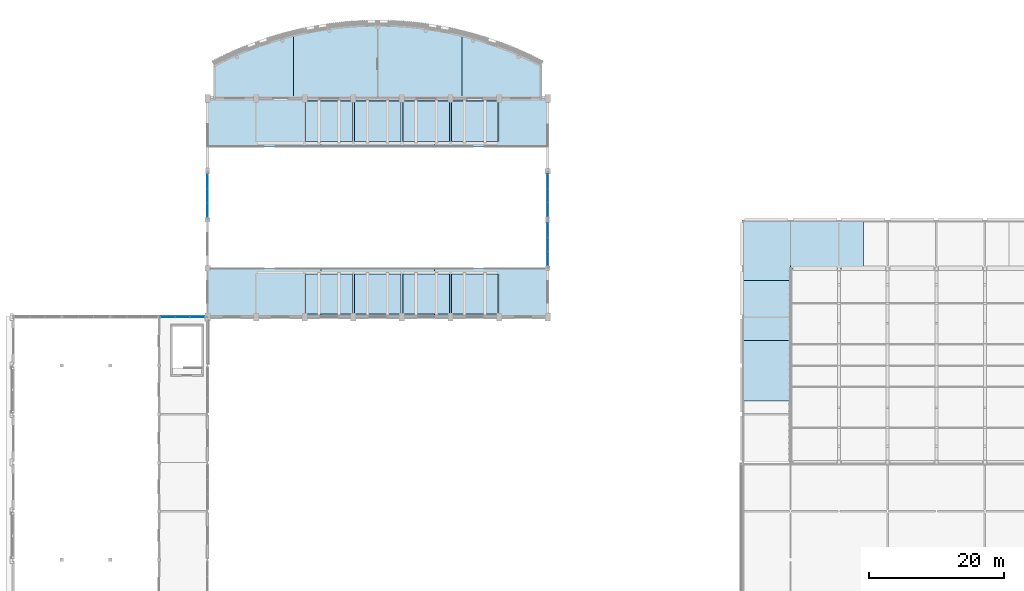
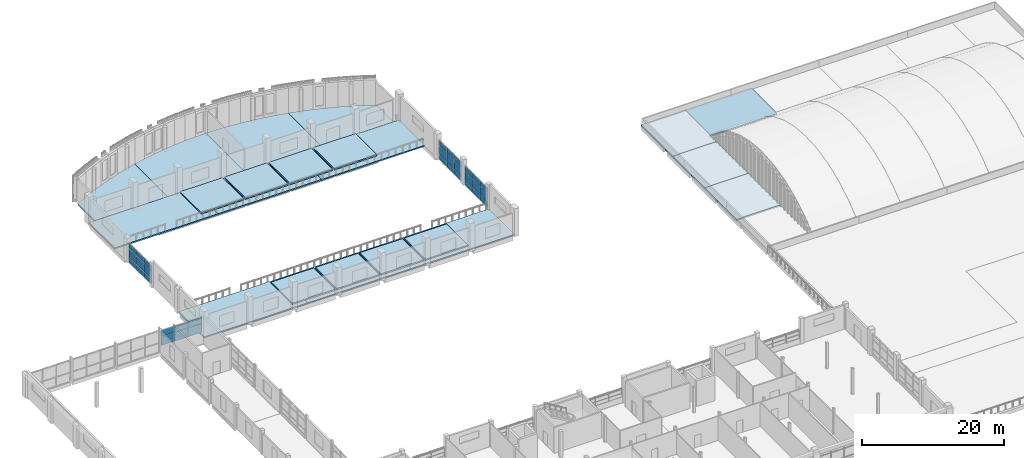
# One storey, part 35 of 71: 33 plates, 22 slabs, 4 elements without a shape of their own.
"""IFC4 building model written with IfcOpenShell, lengths in metres."""

import ifcopenshell
import ifcopenshell.guid

model = None  # the IFC model being written
_history = None  # IfcOwnerHistory: only IFC2X3 demands one
_inside = {}  # id of a spatial element -> (the spatial element, [elements in it])
_under = {}  # id of a project, library or spatial element -> (it, [spatial elements below it])
_declared = {}  # id of a project -> (the project, [libraries it declares])
_typed = {}  # id of a type object -> (the type object, [elements of that type])
_made_of = {}  # id of a material, layer set ... -> (it, [elements and type objects made of it])


def new_model(schema):
    """Start an empty IFC model of exactly this schema.

    Asked for "IFC4X3", IfcOpenShell would pick the latest addendum, in which some entities
    have other attributes; the version numbers below select the first issue.
    IFC2X3 requires an IfcOwnerHistory on every rooted entity: one is made here for all.
    """
    global model, _history
    if schema == "IFC4X3":
        model = ifcopenshell.file(schema_version=(4, 3, 0, 0))
    else:
        model = ifcopenshell.file(schema=schema)
    _inside.clear()
    _under.clear()
    _declared.clear()
    _typed.clear()
    _made_of.clear()
    _history = None
    if model.schema == "IFC2X3":
        org = make("IfcOrganization", Name="unknown")
        user = make(
            "IfcPersonAndOrganization",
            ThePerson=make("IfcPerson", FamilyName="unknown"),
            TheOrganization=org,
        )
        app = make(
            "IfcApplication",
            ApplicationDeveloper=org,
            Version="unknown",
            ApplicationFullName="unknown",
            ApplicationIdentifier="unknown",
        )
        _history = make(
            "IfcOwnerHistory",
            OwningUser=user,
            OwningApplication=app,
            ChangeAction="ADDED",
            CreationDate=0,
        )
    return model


def make(cls, **values):
    """One entity of the class cls with the attributes given. An attribute that is None is left unset."""
    return model.create_entity(
        cls, **{name: value for name, value in values.items() if value is not None}
    )


def rooted(cls, **values):
    """An entity with a GlobalId (a new one), such as an element, a storey or a relation."""
    return make(cls, GlobalId=ifcopenshell.guid.new(), OwnerHistory=_history, **values)


def si_unit(unit_type, name, prefix=None):
    """IfcSIUnit, for example si_unit("LENGTHUNIT", "METRE", prefix="MILLI")."""
    return make("IfcSIUnit", UnitType=unit_type, Prefix=prefix, Name=name)


def assignment(units):
    """IfcUnitAssignment: the units of a project."""
    return None if units is None else make("IfcUnitAssignment", Units=units)


def point(xyz):
    """IfcCartesianPoint."""
    return None if xyz is None else make("IfcCartesianPoint", Coordinates=xyz)


def direction(xyz):
    """IfcDirection."""
    return None if xyz is None else make("IfcDirection", DirectionRatios=xyz)


def frame(location, z_axis=None, x_axis=None):
    """IfcAxis2Placement3D, a coordinate frame: its origin and axes. An axis left out is left unset."""
    return make(
        "IfcAxis2Placement3D",
        Location=point(location),
        Axis=direction(z_axis),
        RefDirection=direction(x_axis),
    )


def frame_2d(location, x_axis=None):
    """IfcAxis2Placement2D, a coordinate frame in the plane: its origin and x axis."""
    return make(
        "IfcAxis2Placement2D", Location=point(location), RefDirection=direction(x_axis)
    )


def origin():
    """The frame at (0, 0, 0) with its axes left unset."""
    return frame((0.0, 0.0, 0.0))


def origin_2d():
    """The frame at (0, 0) in the plane with its x axis left unset."""
    return frame_2d((0.0, 0.0))


def place(relative_to, where):
    """IfcLocalPlacement: puts the frame where relative to a parent placement (None: the world)."""
    return make(
        "IfcLocalPlacement", PlacementRelTo=relative_to, RelativePlacement=where
    )


def context(
    kind, dimensions, precision=None, world=None, true_north=None, identifier=None
):
    """IfcGeometricRepresentationContext, for example the 3D "Model" context."""
    return make(
        "IfcGeometricRepresentationContext",
        ContextIdentifier=identifier,
        ContextType=kind,
        CoordinateSpaceDimension=dimensions,
        Precision=precision,
        WorldCoordinateSystem=world,
        TrueNorth=true_north,
    )


def subcontext(parent, identifier, kind, view, scale=None):
    """IfcGeometricRepresentationSubContext, for example "Body" below "Model"."""
    return make(
        "IfcGeometricRepresentationSubContext",
        ContextIdentifier=identifier,
        ContextType=kind,
        ParentContext=parent,
        TargetScale=scale,
        TargetView=view,
    )


def project(units=None, contexts=None):
    """IfcProject with its units and contexts."""
    return rooted(
        "IfcProject",
        Name="project",
        RepresentationContexts=contexts,
        UnitsInContext=assignment(units),
    )


def spatial(cls, under=None, at=None, **own):
    """A site, building, storey or space (cls), placed at a placement, below another one or the project."""
    s = rooted(cls, ObjectPlacement=at, **own)
    if under is not None:
        _under.setdefault(under.id(), (under, []))[1].append(s)
    return s


def polyline(points):
    """IfcPolyline through the points."""
    return make("IfcPolyline", Points=[point(p) for p in points])


def profile(cls, at=None, kind="AREA", **sizes):
    """A parametric profile (cls). Its sizes go by their IFC names, for example OverallWidth=200.0."""
    return make(cls, ProfileType=kind, Position=at, **sizes)


def rectangle(**sizes):
    """IfcRectangleProfileDef."""
    return profile("IfcRectangleProfileDef", **sizes)


def outline(outer, holes=None, kind="AREA"):
    """IfcArbitraryClosedProfileDef: a profile drawn as a closed curve; with holes, ...WithVoids."""
    if holes is None:
        return make("IfcArbitraryClosedProfileDef", ProfileType=kind, OuterCurve=outer)
    return make(
        "IfcArbitraryProfileDefWithVoids",
        ProfileType=kind,
        OuterCurve=outer,
        InnerCurves=holes,
    )


def extrude(swept, where, along, depth):
    """IfcExtrudedAreaSolid: the profile swept, set in the frame where, extruded along a direction by depth."""
    return make(
        "IfcExtrudedAreaSolid",
        SweptArea=swept,
        Position=where,
        ExtrudedDirection=direction(along),
        Depth=depth,
    )


def shape(context_of_items, identifier, shape_type, items):
    """IfcShapeRepresentation: the items that make up one representation, for example the "Body"."""
    return make(
        "IfcShapeRepresentation",
        ContextOfItems=context_of_items,
        RepresentationIdentifier=identifier,
        RepresentationType=shape_type,
        Items=items,
    )


def material(Name=None, Category=None):
    """IfcMaterial."""
    return make("IfcMaterial", Name=Name, Category=Category)


def layer(
    of_material, thickness, ventilated=None, Name=None, Category=None, Priority=None
):
    """IfcMaterialLayer: one layer of a wall or slab, of a material (None: an air gap)."""
    return make(
        "IfcMaterialLayer",
        Material=of_material,
        LayerThickness=thickness,
        IsVentilated=ventilated,
        Name=Name,
        Category=Category,
        Priority=Priority,
    )


def layer_set(layers, Name=None):
    """IfcMaterialLayerSet."""
    return make("IfcMaterialLayerSet", MaterialLayers=layers, LayerSetName=Name)


def made_of(thing, what):
    """Note that an element or type object is made of a material, layer set ...; save() writes the relation."""
    if what is not None:
        _made_of.setdefault(what.id(), (what, []))[1].append(thing)
    return thing


def type_object(cls, material=None, **own):
    """A type object (cls), such as IfcWallType, which elements share."""
    return made_of(rooted(cls, **own), material)


def element(
    cls,
    number,
    at=None,
    inside=None,
    cuts=None,
    type_object=None,
    material=None,
    context=None,
    identifier="Body",
    shape_type=None,
    held_by="IfcProductDefinitionShape",
    body=None,
    shapes=None,
    **own,
):
    """One element of the class cls, such as IfcWall. Its Tag is "e" and its number.

    at: its placement. inside: the storey or other place that contains it. cuts: it is an
    opening in that element (IfcRelVoidsElement). A single representation is given by context,
    identifier, shape_type and body (its items); several are given by shapes. held_by: the class
    of the entity that holds the representations. save() writes the other relations.
    """
    e = rooted(cls, Tag="e%d" % number, ObjectPlacement=at, **own)
    if body is not None:
        shapes = [shape(context, identifier, shape_type, body)]
    if shapes is not None:
        e.Representation = make(held_by, Representations=shapes)
    if inside is not None:
        _inside.setdefault(inside.id(), (inside, []))[1].append(e)
    if cuts is not None:
        rooted(
            "IfcRelVoidsElement", RelatingBuildingElement=cuts, RelatedOpeningElement=e
        )
    if type_object is not None:
        _typed.setdefault(type_object.id(), (type_object, []))[1].append(e)
    return made_of(e, material)


def aggregate(whole, parts):
    """IfcRelAggregates: a whole, such as a stair, and the parts it consists of."""
    return rooted("IfcRelAggregates", RelatingObject=whole, RelatedObjects=parts)


def save(model, path):
    """Write the relations noted so far, then the file.

    IfcRelAggregates (storeys below a building ...), IfcRelContainedInSpatialStructure (elements
    in a storey), IfcRelDefinesByType, IfcRelAssociatesMaterial and IfcRelDeclares: one each for
    every whole, place, type object, material and project.
    """
    for whole, parts in _under.values():
        aggregate(whole, parts)
    for where, things in _inside.values():
        rooted(
            "IfcRelContainedInSpatialStructure",
            RelatedElements=things,
            RelatingStructure=where,
        )
    for kind, things in _typed.values():
        rooted("IfcRelDefinesByType", RelatedObjects=things, RelatingType=kind)
    for what, things in _made_of.values():
        rooted("IfcRelAssociatesMaterial", RelatedObjects=things, RelatingMaterial=what)
    for by, libraries in _declared.values():
        rooted("IfcRelDeclares", RelatingContext=by, RelatedDefinitions=libraries)
    model.write(path)


model = new_model("IFC4")

# Units and contexts
model_context = context("Model", 3, precision=1e-05, world=origin(), true_north=direction((0.0, 1.0)))
body_context = subcontext(model_context, "Body", "Model", "MODEL_VIEW")
ifc_project = project(units=[si_unit("LENGTHUNIT", "METRE"), si_unit("AREAUNIT", "SQUARE_METRE"), si_unit("VOLUMEUNIT", "CUBIC_METRE"), si_unit("PLANEANGLEUNIT", "RADIAN"), si_unit("MASSUNIT", "GRAM", prefix="KILO")], contexts=[model_context])

# Site, building, storey
site_placement = place(None, origin())
site = spatial("IfcSite", under=ifc_project, at=site_placement, CompositionType="ELEMENT")
building_placement = place(site_placement, origin())
building = spatial("IfcBuilding", under=site, at=building_placement, Name="Sardonyx Promenade Sports Hall", CompositionType="ELEMENT")
storey_placement = place(building_placement, frame((0.0, 0.0, 16.0)))
storey = spatial("IfcBuildingStorey", under=building, at=storey_placement, Name="L03", CompositionType="ELEMENT", Elevation=16.0)

# Curtain wall, plates
ifc_material_1 = material(Name="Aluminium 6063-T6", Category="aluminium")
curtain_wall_type_1 = type_object("IfcCurtainWallType", Name="CW_South_L03_640", PredefinedType="USERDEFINED", material=ifc_material_1)
curtain_wall_1_placement = place(storey_placement, origin())
curtain_wall_1 = element("IfcCurtainWall", 1, at=curtain_wall_1_placement, inside=storey, type_object=curtain_wall_type_1, Name="Curtain wall CW14 cw:L03:147", ObjectType="CURTAIN WALL", PredefinedType="USERDEFINED")
ifc_material_2 = material(Name="Double-glazed solar low-E IGU 28 mm", Category="glass")
ifc_layer_1 = layer(ifc_material_2, 0.028076171875)
ifc_layer_set_1 = layer_set([ifc_layer_1], Name="CW_Pan_Glz_28")
plate_type_1 = type_object("IfcPlateType", Name="CW_Pan_Glz_28", PredefinedType="CURTAIN_PANEL", material=ifc_layer_set_1)
plate_1_placement = place(storey_placement, frame((28.800048828125, 87.85009765625, 0.06005859375), z_axis=(0.0, 0.0, 1.0), x_axis=(0.0, 1.0, 0.0)))
plate_1 = element("IfcPlate", 2, at=plate_1_placement, type_object=plate_type_1, Name="Curtain panel CP01 cw:L03:147 #1", PredefinedType="CURTAIN_PANEL", context=body_context, shape_type="SweptSolid", body=[
    extrude(rectangle(XDim=2.0400390625, YDim=0.028076171875, at=origin_2d()), origin(), (0.0, 0.0, 1.0), 0.81005859375),
])
plate_2_placement = place(storey_placement, frame((28.800048828125, 87.85009765625, 0.93017578125), z_axis=(0.0, 0.0, 1.0), x_axis=(0.0, 1.0, 0.0)))
plate_2 = element("IfcPlate", 3, at=plate_2_placement, type_object=plate_type_1, Name="Curtain panel CP01 cw:L03:147 #2", PredefinedType="CURTAIN_PANEL", context=body_context, shape_type="SweptSolid", body=[
    extrude(rectangle(XDim=2.0400390625, YDim=0.028076171875, at=origin_2d()), origin(), (0.0, 0.0, 1.0), 1.489990234375),
])
plate_3_placement = place(storey_placement, frame((28.800048828125, 87.85009765625, 2.47998046875), z_axis=(0.0, 0.0, 1.0), x_axis=(0.0, 1.0, 0.0)))
plate_3 = element("IfcPlate", 4, at=plate_3_placement, type_object=plate_type_1, Name="Curtain panel CP01 cw:L03:147 #3", PredefinedType="CURTAIN_PANEL", context=body_context, shape_type="SweptSolid", body=[
    extrude(rectangle(XDim=2.0400390625, YDim=0.028076171875, at=origin_2d()), origin(), (0.0, 0.0, 1.0), 0.860107421875),
])
plate_4_placement = place(storey_placement, frame((28.800048828125, 89.949951171875, 0.06005859375), z_axis=(0.0, 0.0, 1.0), x_axis=(0.0, 1.0, 0.0)))
plate_4 = element("IfcPlate", 5, at=plate_4_placement, type_object=plate_type_1, Name="Curtain panel CP01 cw:L03:147 #4", PredefinedType="CURTAIN_PANEL", context=body_context, shape_type="SweptSolid", body=[
    extrude(rectangle(XDim=2.0400390625, YDim=0.028076171875, at=origin_2d()), origin(), (0.0, 0.0, 1.0), 0.81005859375),
])
plate_5_placement = place(storey_placement, frame((28.800048828125, 89.949951171875, 0.93017578125), z_axis=(0.0, 0.0, 1.0), x_axis=(0.0, 1.0, 0.0)))
plate_5 = element("IfcPlate", 6, at=plate_5_placement, type_object=plate_type_1, Name="Curtain panel CP01 cw:L03:147 #5", PredefinedType="CURTAIN_PANEL", context=body_context, shape_type="SweptSolid", body=[
    extrude(rectangle(XDim=2.0400390625, YDim=0.028076171875, at=origin_2d()), origin(), (0.0, 0.0, 1.0), 1.489990234375),
])
plate_6_placement = place(storey_placement, frame((28.800048828125, 89.949951171875, 2.47998046875), z_axis=(0.0, 0.0, 1.0), x_axis=(0.0, 1.0, 0.0)))
plate_6 = element("IfcPlate", 7, at=plate_6_placement, type_object=plate_type_1, Name="Curtain panel CP01 cw:L03:147 #6", PredefinedType="CURTAIN_PANEL", context=body_context, shape_type="SweptSolid", body=[
    extrude(rectangle(XDim=2.0400390625, YDim=0.028076171875, at=origin_2d()), origin(), (0.0, 0.0, 1.0), 0.860107421875),
])
plate_7_placement = place(storey_placement, frame((28.800048828125, 92.050048828125, 0.06005859375), z_axis=(0.0, 0.0, 1.0), x_axis=(0.0, 1.0, 0.0)))
plate_7 = element("IfcPlate", 8, at=plate_7_placement, type_object=plate_type_1, Name="Curtain panel CP01 cw:L03:147 #7", PredefinedType="CURTAIN_PANEL", context=body_context, shape_type="SweptSolid", body=[
    extrude(rectangle(XDim=2.0400390625, YDim=0.028076171875, at=origin_2d()), origin(), (0.0, 0.0, 1.0), 0.81005859375),
])
plate_8_placement = place(storey_placement, frame((28.800048828125, 92.050048828125, 0.93017578125), z_axis=(0.0, 0.0, 1.0), x_axis=(0.0, 1.0, 0.0)))
plate_8 = element("IfcPlate", 9, at=plate_8_placement, type_object=plate_type_1, Name="Curtain panel CP01 cw:L03:147 #8", PredefinedType="CURTAIN_PANEL", context=body_context, shape_type="SweptSolid", body=[
    extrude(rectangle(XDim=2.0400390625, YDim=0.028076171875, at=origin_2d()), origin(), (0.0, 0.0, 1.0), 1.489990234375),
])
plate_9_placement = place(storey_placement, frame((28.800048828125, 92.050048828125, 2.47998046875), z_axis=(0.0, 0.0, 1.0), x_axis=(0.0, 1.0, 0.0)))
plate_9 = element("IfcPlate", 10, at=plate_9_placement, type_object=plate_type_1, Name="Curtain panel CP01 cw:L03:147 #9", PredefinedType="CURTAIN_PANEL", context=body_context, shape_type="SweptSolid", body=[
    extrude(rectangle(XDim=2.0400390625, YDim=0.028076171875, at=origin_2d()), origin(), (0.0, 0.0, 1.0), 0.860107421875),
])
aggregate(curtain_wall_1, [plate_1, plate_2, plate_3, plate_4, plate_5, plate_6, plate_7, plate_8, plate_9])

curtain_wall_2_placement = place(storey_placement, origin())
curtain_wall_2 = element("IfcCurtainWall", 11, at=curtain_wall_2_placement, inside=storey, type_object=curtain_wall_type_1, Name="Curtain wall CW14 cw:L03:150", ObjectType="CURTAIN WALL", PredefinedType="USERDEFINED")
plate_10_placement = place(storey_placement, frame((79.199951171875, 92.1083984375, 0.06005859375), z_axis=(0.0, 0.0, 1.0), x_axis=(0.0, -1.0, 0.0)))
plate_10 = element("IfcPlate", 12, at=plate_10_placement, type_object=plate_type_1, Name="Curtain panel CP01 cw:L03:150 #1", PredefinedType="CURTAIN_PANEL", context=body_context, shape_type="SweptSolid", body=[
    extrude(rectangle(XDim=2.0234375, YDim=0.028076171875, at=origin_2d()), origin(), (0.0, 0.0, 1.0), 0.81005859375),
])
plate_11_placement = place(storey_placement, frame((79.199951171875, 92.1083984375, 0.93017578125), z_axis=(0.0, 0.0, 1.0), x_axis=(0.0, -1.0, 0.0)))
plate_11 = element("IfcPlate", 13, at=plate_11_placement, type_object=plate_type_1, Name="Curtain panel CP01 cw:L03:150 #2", PredefinedType="CURTAIN_PANEL", context=body_context, shape_type="SweptSolid", body=[
    extrude(rectangle(XDim=2.0234375, YDim=0.028076171875, at=origin_2d()), origin(), (0.0, 0.0, 1.0), 1.489990234375),
])
plate_12_placement = place(storey_placement, frame((79.199951171875, 92.1083984375, 2.47998046875), z_axis=(0.0, 0.0, 1.0), x_axis=(0.0, -1.0, 0.0)))
plate_12 = element("IfcPlate", 14, at=plate_12_placement, type_object=plate_type_1, Name="Curtain panel CP01 cw:L03:150 #3", PredefinedType="CURTAIN_PANEL", context=body_context, shape_type="SweptSolid", body=[
    extrude(rectangle(XDim=2.0234375, YDim=0.028076171875, at=origin_2d()), origin(), (0.0, 0.0, 1.0), 0.860107421875),
])
plate_13_placement = place(storey_placement, frame((79.199951171875, 90.02490234375, 0.06005859375), z_axis=(0.0, 0.0, 1.0), x_axis=(0.0, -1.0, 0.0)))
plate_13 = element("IfcPlate", 15, at=plate_13_placement, type_object=plate_type_1, Name="Curtain panel CP01 cw:L03:150 #4", PredefinedType="CURTAIN_PANEL", context=body_context, shape_type="SweptSolid", body=[
    extrude(rectangle(XDim=2.0234375, YDim=0.028076171875, at=origin_2d()), origin(), (0.0, 0.0, 1.0), 0.81005859375),
])
plate_14_placement = place(storey_placement, frame((79.199951171875, 90.02490234375, 0.93017578125), z_axis=(0.0, 0.0, 1.0), x_axis=(0.0, -1.0, 0.0)))
plate_14 = element("IfcPlate", 16, at=plate_14_placement, type_object=plate_type_1, Name="Curtain panel CP01 cw:L03:150 #5", PredefinedType="CURTAIN_PANEL", context=body_context, shape_type="SweptSolid", body=[
    extrude(rectangle(XDim=2.0234375, YDim=0.028076171875, at=origin_2d()), origin(), (0.0, 0.0, 1.0), 1.489990234375),
])
plate_15_placement = place(storey_placement, frame((79.199951171875, 90.02490234375, 2.47998046875), z_axis=(0.0, 0.0, 1.0), x_axis=(0.0, -1.0, 0.0)))
plate_15 = element("IfcPlate", 17, at=plate_15_placement, type_object=plate_type_1, Name="Curtain panel CP01 cw:L03:150 #6", PredefinedType="CURTAIN_PANEL", context=body_context, shape_type="SweptSolid", body=[
    extrude(rectangle(XDim=2.0234375, YDim=0.028076171875, at=origin_2d()), origin(), (0.0, 0.0, 1.0), 0.860107421875),
])
plate_16_placement = place(storey_placement, frame((79.199951171875, 87.941650390625, 0.06005859375), z_axis=(0.0, 0.0, 1.0), x_axis=(0.0, -1.0, 0.0)))
plate_16 = element("IfcPlate", 18, at=plate_16_placement, type_object=plate_type_1, Name="Curtain panel CP01 cw:L03:150 #7", PredefinedType="CURTAIN_PANEL", context=body_context, shape_type="SweptSolid", body=[
    extrude(rectangle(XDim=2.0234375, YDim=0.028076171875, at=origin_2d()), origin(), (0.0, 0.0, 1.0), 0.81005859375),
])
plate_17_placement = place(storey_placement, frame((79.199951171875, 87.941650390625, 0.93017578125), z_axis=(0.0, 0.0, 1.0), x_axis=(0.0, -1.0, 0.0)))
plate_17 = element("IfcPlate", 19, at=plate_17_placement, type_object=plate_type_1, Name="Curtain panel CP01 cw:L03:150 #8", PredefinedType="CURTAIN_PANEL", context=body_context, shape_type="SweptSolid", body=[
    extrude(rectangle(XDim=2.0234375, YDim=0.028076171875, at=origin_2d()), origin(), (0.0, 0.0, 1.0), 1.489990234375),
])
plate_18_placement = place(storey_placement, frame((79.199951171875, 87.941650390625, 2.47998046875), z_axis=(0.0, 0.0, 1.0), x_axis=(0.0, -1.0, 0.0)))
plate_18 = element("IfcPlate", 20, at=plate_18_placement, type_object=plate_type_1, Name="Curtain panel CP01 cw:L03:150 #9", PredefinedType="CURTAIN_PANEL", context=body_context, shape_type="SweptSolid", body=[
    extrude(rectangle(XDim=2.0234375, YDim=0.028076171875, at=origin_2d()), origin(), (0.0, 0.0, 1.0), 0.860107421875),
])
aggregate(curtain_wall_2, [plate_10, plate_11, plate_12, plate_13, plate_14, plate_15, plate_16, plate_17, plate_18])

curtain_wall_3_placement = place(storey_placement, origin())
curtain_wall_3 = element("IfcCurtainWall", 21, at=curtain_wall_3_placement, inside=storey, type_object=curtain_wall_type_1, Name="Curtain wall CW14 cw:L03:151", ObjectType="CURTAIN WALL", PredefinedType="USERDEFINED")
plate_19_placement = place(storey_placement, frame((79.199951171875, 84.85009765625, 0.06005859375), z_axis=(0.0, 0.0, 1.0), x_axis=(0.0, -1.0, 0.0)))
plate_19 = element("IfcPlate", 22, at=plate_19_placement, type_object=plate_type_1, Name="Curtain panel CP01 cw:L03:151 #1", PredefinedType="CURTAIN_PANEL", context=body_context, shape_type="SweptSolid", body=[
    extrude(rectangle(XDim=2.0400390625, YDim=0.028076171875, at=origin_2d()), origin(), (0.0, 0.0, 1.0), 0.81005859375),
])
plate_20_placement = place(storey_placement, frame((79.199951171875, 84.85009765625, 0.93017578125), z_axis=(0.0, 0.0, 1.0), x_axis=(0.0, -1.0, 0.0)))
plate_20 = element("IfcPlate", 23, at=plate_20_placement, type_object=plate_type_1, Name="Curtain panel CP01 cw:L03:151 #2", PredefinedType="CURTAIN_PANEL", context=body_context, shape_type="SweptSolid", body=[
    extrude(rectangle(XDim=2.0400390625, YDim=0.028076171875, at=origin_2d()), origin(), (0.0, 0.0, 1.0), 1.489990234375),
])
plate_21_placement = place(storey_placement, frame((79.199951171875, 84.85009765625, 2.47998046875), z_axis=(0.0, 0.0, 1.0), x_axis=(0.0, -1.0, 0.0)))
plate_21 = element("IfcPlate", 24, at=plate_21_placement, type_object=plate_type_1, Name="Curtain panel CP01 cw:L03:151 #3", PredefinedType="CURTAIN_PANEL", context=body_context, shape_type="SweptSolid", body=[
    extrude(rectangle(XDim=2.0400390625, YDim=0.028076171875, at=origin_2d()), origin(), (0.0, 0.0, 1.0), 0.860107421875),
])
plate_22_placement = place(storey_placement, frame((79.199951171875, 82.75, 0.06005859375), z_axis=(0.0, 0.0, 1.0), x_axis=(0.0, -1.0, 0.0)))
plate_22 = element("IfcPlate", 25, at=plate_22_placement, type_object=plate_type_1, Name="Curtain panel CP01 cw:L03:151 #4", PredefinedType="CURTAIN_PANEL", context=body_context, shape_type="SweptSolid", body=[
    extrude(rectangle(XDim=2.0400390625, YDim=0.028076171875, at=origin_2d()), origin(), (0.0, 0.0, 1.0), 0.81005859375),
])
plate_23_placement = place(storey_placement, frame((79.199951171875, 82.75, 0.93017578125), z_axis=(0.0, 0.0, 1.0), x_axis=(0.0, -1.0, 0.0)))
plate_23 = element("IfcPlate", 26, at=plate_23_placement, type_object=plate_type_1, Name="Curtain panel CP01 cw:L03:151 #5", PredefinedType="CURTAIN_PANEL", context=body_context, shape_type="SweptSolid", body=[
    extrude(rectangle(XDim=2.0400390625, YDim=0.028076171875, at=origin_2d()), origin(), (0.0, 0.0, 1.0), 1.489990234375),
])
plate_24_placement = place(storey_placement, frame((79.199951171875, 82.75, 2.47998046875), z_axis=(0.0, 0.0, 1.0), x_axis=(0.0, -1.0, 0.0)))
plate_24 = element("IfcPlate", 27, at=plate_24_placement, type_object=plate_type_1, Name="Curtain panel CP01 cw:L03:151 #6", PredefinedType="CURTAIN_PANEL", context=body_context, shape_type="SweptSolid", body=[
    extrude(rectangle(XDim=2.0400390625, YDim=0.028076171875, at=origin_2d()), origin(), (0.0, 0.0, 1.0), 0.860107421875),
])
plate_25_placement = place(storey_placement, frame((79.199951171875, 80.64990234375, 0.06005859375), z_axis=(0.0, 0.0, 1.0), x_axis=(0.0, -1.0, 0.0)))
plate_25 = element("IfcPlate", 28, at=plate_25_placement, type_object=plate_type_1, Name="Curtain panel CP01 cw:L03:151 #7", PredefinedType="CURTAIN_PANEL", context=body_context, shape_type="SweptSolid", body=[
    extrude(rectangle(XDim=2.0400390625, YDim=0.028076171875, at=origin_2d()), origin(), (0.0, 0.0, 1.0), 0.81005859375),
])
plate_26_placement = place(storey_placement, frame((79.199951171875, 80.64990234375, 0.93017578125), z_axis=(0.0, 0.0, 1.0), x_axis=(0.0, -1.0, 0.0)))
plate_26 = element("IfcPlate", 29, at=plate_26_placement, type_object=plate_type_1, Name="Curtain panel CP01 cw:L03:151 #8", PredefinedType="CURTAIN_PANEL", context=body_context, shape_type="SweptSolid", body=[
    extrude(rectangle(XDim=2.0400390625, YDim=0.028076171875, at=origin_2d()), origin(), (0.0, 0.0, 1.0), 1.489990234375),
])
plate_27_placement = place(storey_placement, frame((79.199951171875, 80.64990234375, 2.47998046875), z_axis=(0.0, 0.0, 1.0), x_axis=(0.0, -1.0, 0.0)))
plate_27 = element("IfcPlate", 30, at=plate_27_placement, type_object=plate_type_1, Name="Curtain panel CP01 cw:L03:151 #9", PredefinedType="CURTAIN_PANEL", context=body_context, shape_type="SweptSolid", body=[
    extrude(rectangle(XDim=2.0400390625, YDim=0.028076171875, at=origin_2d()), origin(), (0.0, 0.0, 1.0), 0.860107421875),
])
aggregate(curtain_wall_3, [plate_19, plate_20, plate_21, plate_22, plate_23, plate_24, plate_25, plate_26, plate_27])

ifc_material_3 = material(Name="Aluminium 6063-T6", Category="aluminium")
curtain_wall_type_2 = type_object("IfcCurtainWallType", Name="CW_Climb_Clerestory", PredefinedType="USERDEFINED", material=ifc_material_3)
curtain_wall_4_placement = place(storey_placement, origin())
curtain_wall_4 = element("IfcCurtainWall", 31, at=curtain_wall_4_placement, inside=storey, type_object=curtain_wall_type_2, Name="Curtain wall CW12 cw:L03:083", ObjectType="CURTAIN WALL", PredefinedType="USERDEFINED")
ifc_material_4 = material(Name="Laminated safety sports IGU 36 mm", Category="glass")
ifc_layer_2 = layer(ifc_material_4, 0.035888671875)
ifc_layer_set_2 = layer_set([ifc_layer_2], Name="CW_Pan_Glz_36")
plate_type_2 = type_object("IfcPlateType", Name="CW_Pan_Glz_36", PredefinedType="CURTAIN_PANEL", material=ifc_layer_set_2)
plate_28_placement = place(storey_placement, frame((22.893310546875, 72.0, 0.965087890625), z_axis=(0.0, 0.0, 1.0), x_axis=(1.0, 0.0, 0.0)))
plate_28 = element("IfcPlate", 32, at=plate_28_placement, type_object=plate_type_2, Name="Curtain panel CP03 cw:L03:083 #1", PredefinedType="CURTAIN_PANEL", context=body_context, shape_type="SweptSolid", body=[
    extrude(rectangle(XDim=2.11669921875, YDim=0.035888671875, at=origin_2d()), origin(), (0.0, 0.0, 1.0), 1.50244140625),
])
plate_29_placement = place(storey_placement, frame((22.893310546875, 72.0, 2.5322265625), z_axis=(0.0, 0.0, 1.0), x_axis=(1.0, 0.0, 0.0)))
plate_29 = element("IfcPlate", 33, at=plate_29_placement, type_object=plate_type_2, Name="Curtain panel CP03 cw:L03:083 #2", PredefinedType="CURTAIN_PANEL", context=body_context, shape_type="SweptSolid", body=[
    extrude(rectangle(XDim=2.11669921875, YDim=0.035888671875, at=origin_2d()), origin(), (0.0, 0.0, 1.0), 1.007568359375),
])
plate_30_placement = place(storey_placement, frame((25.074951171875, 72.0, 0.965087890625), z_axis=(0.0, 0.0, 1.0), x_axis=(1.0, 0.0, 0.0)))
plate_30 = element("IfcPlate", 34, at=plate_30_placement, type_object=plate_type_2, Name="Curtain panel CP03 cw:L03:083 #3", PredefinedType="CURTAIN_PANEL", context=body_context, shape_type="SweptSolid", body=[
    extrude(rectangle(XDim=2.11669921875, YDim=0.035888671875, at=origin_2d()), origin(), (0.0, 0.0, 1.0), 1.50244140625),
])
plate_31_placement = place(storey_placement, frame((25.074951171875, 72.0, 2.5322265625), z_axis=(0.0, 0.0, 1.0), x_axis=(1.0, 0.0, 0.0)))
plate_31 = element("IfcPlate", 35, at=plate_31_placement, type_object=plate_type_2, Name="Curtain panel CP03 cw:L03:083 #4", PredefinedType="CURTAIN_PANEL", context=body_context, shape_type="SweptSolid", body=[
    extrude(rectangle(XDim=2.11669921875, YDim=0.035888671875, at=origin_2d()), origin(), (0.0, 0.0, 1.0), 1.007568359375),
])
plate_32_placement = place(storey_placement, frame((27.256591796875, 72.0, 0.965087890625), z_axis=(0.0, 0.0, 1.0), x_axis=(1.0, 0.0, 0.0)))
plate_32 = element("IfcPlate", 36, at=plate_32_placement, type_object=plate_type_2, Name="Curtain panel CP03 cw:L03:083 #5", PredefinedType="CURTAIN_PANEL", context=body_context, shape_type="SweptSolid", body=[
    extrude(rectangle(XDim=2.11669921875, YDim=0.035888671875, at=origin_2d()), origin(), (0.0, 0.0, 1.0), 1.50244140625),
])
plate_33_placement = place(storey_placement, frame((27.256591796875, 72.0, 2.5322265625), z_axis=(0.0, 0.0, 1.0), x_axis=(1.0, 0.0, 0.0)))
plate_33 = element("IfcPlate", 37, at=plate_33_placement, type_object=plate_type_2, Name="Curtain panel CP03 cw:L03:083 #6", PredefinedType="CURTAIN_PANEL", context=body_context, shape_type="SweptSolid", body=[
    extrude(rectangle(XDim=2.11669921875, YDim=0.035888671875, at=origin_2d()), origin(), (0.0, 0.0, 1.0), 1.007568359375),
])
aggregate(curtain_wall_4, [plate_28, plate_29, plate_30, plate_31, plate_32, plate_33])

# Slabs
ifc_material_5 = material(Name="Concrete C40/50", Category="concrete")
ifc_layer_3 = layer(ifc_material_5, 0.2900390625)
ifc_layer_set_3 = layer_set([ifc_layer_3], Name="Slab_Ext_Loggia_220")
slab_type_1 = type_object("IfcSlabType", Name="Slab_Ext_Loggia_220", PredefinedType="FLOOR", material=ifc_layer_set_3)
slab_1_placement = place(storey_placement, frame((0.0, 0.0, -0.2900390625)))
element("IfcSlab", 38, at=slab_1_placement, inside=storey, type_object=slab_type_1, Name="Bowed promenade loggia slab L03 #1", PredefinedType="FLOOR", context=body_context, shape_type="SweptSolid", body=[
    extrude(outline(polyline([(29.773681640625, 104.39990234375), (41.522216796875, 104.39990234375), (41.522216796875, 113.6806640625), (39.78271484375, 113.21875), (38.06005859375, 112.696533203125), (36.3564453125, 112.115234375), (34.674072265625, 111.475341796875), (33.014892578125, 110.777587890625), (31.380859375, 110.022705078125), (29.773681640625, 109.2119140625), (29.773681640625, 104.39990234375)])), origin(), (0.0, 0.0, 1.0), 0.2900390625),
])
slab_2_placement = place(storey_placement, frame((0.0, 0.0, -0.2900390625)))
element("IfcSlab", 39, at=slab_2_placement, inside=storey, type_object=slab_type_1, Name="Bowed promenade loggia slab L03 #2", PredefinedType="FLOOR", context=body_context, shape_type="SweptSolid", body=[
    extrude(outline(polyline([(41.522216796875, 104.39990234375), (54.0, 104.39990234375), (54.0, 115.199951171875), (52.2001953125, 115.1689453125), (50.402587890625, 115.075439453125), (48.609375, 114.919921875), (46.822509765625, 114.702392578125), (45.04443359375, 114.423095703125), (43.27685546875, 114.082275390625), (41.522216796875, 113.6806640625), (41.522216796875, 104.39990234375)])), origin(), (0.0, 0.0, 1.0), 0.2900390625),
])
slab_3_placement = place(storey_placement, frame((0.0, 0.0, -0.2900390625)))
element("IfcSlab", 40, at=slab_3_placement, inside=storey, type_object=slab_type_1, Name="Bowed promenade loggia slab L03 #3", PredefinedType="FLOOR", context=body_context, shape_type="SweptSolid", body=[
    extrude(outline(polyline([(54.0, 104.39990234375), (66.477783203125, 104.39990234375), (66.477783203125, 113.6806640625), (64.72314453125, 114.082275390625), (62.95556640625, 114.423095703125), (61.177490234375, 114.702392578125), (59.390625, 114.919921875), (57.597412109375, 115.075439453125), (55.7998046875, 115.1689453125), (54.0, 115.199951171875), (54.0, 104.39990234375)])), origin(), (0.0, 0.0, 1.0), 0.2900390625),
])
slab_4_placement = place(storey_placement, frame((0.0, 0.0, -0.2900390625)))
element("IfcSlab", 41, at=slab_4_placement, inside=storey, type_object=slab_type_1, Name="Bowed promenade loggia slab L03 #4", PredefinedType="FLOOR", context=body_context, shape_type="SweptSolid", body=[
    extrude(outline(polyline([(66.477783203125, 104.39990234375), (78.226318359375, 104.39990234375), (78.226318359375, 109.2119140625), (76.619140625, 110.022705078125), (74.985107421875, 110.777587890625), (73.325927734375, 111.475341796875), (71.6435546875, 112.115234375), (69.93994140625, 112.696533203125), (68.21728515625, 113.21875), (66.477783203125, 113.6806640625), (66.477783203125, 104.39990234375)])), origin(), (0.0, 0.0, 1.0), 0.2900390625),
])
ifc_material_6 = material(Name="Concrete C40/50", Category="concrete")
ifc_layer_4 = layer(ifc_material_6, 0.219970703125)
ifc_layer_set_4 = layer_set([ifc_layer_4], Name="Slab_Floor_Gallery_220")
slab_type_2 = type_object("IfcSlabType", Name="Slab_Floor_Gallery_220", PredefinedType="FLOOR", material=ifc_layer_set_4)
slab_5_placement = place(storey_placement, frame((0.0, 0.0, -0.219970703125)))
element("IfcSlab", 42, at=slab_5_placement, inside=storey, type_object=slab_type_2, Name="Slab FS04 L03 #184", PredefinedType="FLOOR", context=body_context, shape_type="SweptSolid", body=[
    extrude(outline(polyline([(28.800048828125, 72.0), (45.60009765625, 72.0), (45.60009765625, 79.199951171875), (28.800048828125, 79.199951171875), (28.800048828125, 72.0)])), origin(), (0.0, 0.0, 1.0), 0.219970703125),
])
slab_6_placement = place(storey_placement, frame((0.0, 0.0, -0.219970703125)))
element("IfcSlab", 43, at=slab_6_placement, inside=storey, type_object=slab_type_2, Name="Slab FS04 L03 #185", PredefinedType="FLOOR", context=body_context, shape_type="SweptSolid", body=[
    extrude(outline(polyline([(45.60009765625, 72.0), (62.39990234375, 72.0), (62.39990234375, 79.199951171875), (45.60009765625, 79.199951171875), (45.60009765625, 72.0)])), origin(), (0.0, 0.0, 1.0), 0.219970703125),
])
slab_7_placement = place(storey_placement, frame((0.0, 0.0, -0.219970703125)))
element("IfcSlab", 44, at=slab_7_placement, inside=storey, type_object=slab_type_2, Name="Slab FS04 L03 #186", PredefinedType="FLOOR", context=body_context, shape_type="SweptSolid", body=[
    extrude(outline(polyline([(62.39990234375, 72.0), (79.199951171875, 72.0), (79.199951171875, 79.199951171875), (62.39990234375, 79.199951171875), (62.39990234375, 72.0)])), origin(), (0.0, 0.0, 1.0), 0.219970703125),
])
slab_8_placement = place(storey_placement, frame((0.0, 0.0, -0.219970703125)))
element("IfcSlab", 45, at=slab_8_placement, inside=storey, type_object=slab_type_2, Name="Slab FS04 L03 #187", PredefinedType="FLOOR", context=body_context, shape_type="SweptSolid", body=[
    extrude(outline(polyline([(28.800048828125, 97.199951171875), (45.60009765625, 97.199951171875), (45.60009765625, 104.39990234375), (28.800048828125, 104.39990234375), (28.800048828125, 97.199951171875)])), origin(), (0.0, 0.0, 1.0), 0.219970703125),
])
slab_9_placement = place(storey_placement, frame((0.0, 0.0, -0.219970703125)))
element("IfcSlab", 46, at=slab_9_placement, inside=storey, type_object=slab_type_2, Name="Slab FS04 L03 #188", PredefinedType="FLOOR", context=body_context, shape_type="SweptSolid", body=[
    extrude(outline(polyline([(45.60009765625, 97.199951171875), (62.39990234375, 97.199951171875), (62.39990234375, 104.39990234375), (45.60009765625, 104.39990234375), (45.60009765625, 97.199951171875)])), origin(), (0.0, 0.0, 1.0), 0.219970703125),
])
slab_10_placement = place(storey_placement, frame((0.0, 0.0, -0.219970703125)))
element("IfcSlab", 47, at=slab_10_placement, inside=storey, type_object=slab_type_2, Name="Slab FS04 L03 #189", PredefinedType="FLOOR", context=body_context, shape_type="SweptSolid", body=[
    extrude(outline(polyline([(62.39990234375, 97.199951171875), (79.199951171875, 97.199951171875), (79.199951171875, 104.39990234375), (62.39990234375, 104.39990234375), (62.39990234375, 97.199951171875)])), origin(), (0.0, 0.0, 1.0), 0.219970703125),
])
ifc_material_7 = material(Name="Concrete C40/50", Category="concrete")
ifc_layer_5 = layer(ifc_material_7, 0.22998046875)
ifc_layer_set_5 = layer_set([ifc_layer_5], Name="Slab_Roof_Flat_230")
slab_type_3 = type_object("IfcSlabType", Name="Slab_Roof_Flat_230", PredefinedType="ROOF", material=ifc_layer_set_5)
slab_11_placement = place(storey_placement, frame((0.0, 0.0, -0.22998046875)))
element("IfcSlab", 48, at=slab_11_placement, inside=storey, type_object=slab_type_3, Name="Slab RS02 L03 #14", PredefinedType="ROOF", context=body_context, shape_type="SweptSolid", body=[
    extrude(outline(polyline([(108.0, 59.512451171875), (115.199951171875, 59.512451171875), (115.199951171875, 68.47509765625), (108.0, 68.47509765625), (108.0, 59.512451171875)])), origin(), (0.0, 0.0, 1.0), 0.22998046875),
])
slab_12_placement = place(storey_placement, frame((0.0, 0.0, -0.22998046875)))
element("IfcSlab", 49, at=slab_12_placement, inside=storey, type_object=slab_type_3, Name="Slab RS02 L03 #15", PredefinedType="ROOF", context=body_context, shape_type="SweptSolid", body=[
    extrude(outline(polyline([(108.0, 68.47509765625), (115.199951171875, 68.47509765625), (115.199951171875, 77.4375), (108.0, 77.4375), (108.0, 68.47509765625)])), origin(), (0.0, 0.0, 1.0), 0.22998046875),
])
slab_13_placement = place(storey_placement, frame((0.0, 0.0, -0.22998046875)))
element("IfcSlab", 50, at=slab_13_placement, inside=storey, type_object=slab_type_3, Name="Slab RS02 L03 #16", PredefinedType="ROOF", context=body_context, shape_type="SweptSolid", body=[
    extrude(outline(polyline([(108.0, 77.4375), (115.199951171875, 77.4375), (115.199951171875, 86.39990234375), (108.0, 86.39990234375), (108.0, 77.4375)])), origin(), (0.0, 0.0, 1.0), 0.22998046875),
])
slab_14_placement = place(storey_placement, frame((0.0, 0.0, -0.22998046875)))
element("IfcSlab", 51, at=slab_14_placement, inside=storey, type_object=slab_type_3, Name="Slab RS02 L03 #21", PredefinedType="ROOF", context=body_context, shape_type="SweptSolid", body=[
    extrude(outline(polyline([(115.199951171875, 79.199951171875), (126.0, 79.199951171875), (126.0, 86.39990234375), (115.199951171875, 86.39990234375), (115.199951171875, 79.199951171875)])), origin(), (0.0, 0.0, 1.0), 0.22998046875),
])
ifc_material_8 = material(Name="Precast concrete C40/50", Category="concrete")
ifc_layer_6 = layer(ifc_material_8, 0.2099609375)
ifc_layer_set_6 = layer_set([ifc_layer_6], Name="Slab_Tier_Upper_210")
slab_type_4 = type_object("IfcSlabType", Name="Slab_Tier_Upper_210", PredefinedType="USERDEFINED", material=ifc_layer_set_6)
slab_15_placement = place(storey_placement, frame((0.0, 0.0, 0.25)))
element("IfcSlab", 52, at=slab_15_placement, inside=storey, type_object=slab_type_4, Name="Stand upper tier S bay 1", ObjectType="SEATING TIER", PredefinedType="USERDEFINED", context=body_context, shape_type="SweptSolid", body=[
    extrude(outline(polyline([(43.35009765625, 72.39990234375), (50.25, 72.39990234375), (50.25, 78.39990234375), (43.35009765625, 78.39990234375), (43.35009765625, 72.39990234375)])), origin(), (0.0, 0.0, 1.0), 0.2099609375),
])
slab_16_placement = place(storey_placement, frame((0.0, 0.0, 0.25)))
element("IfcSlab", 53, at=slab_16_placement, inside=storey, type_object=slab_type_4, Name="Stand upper tier N bay 1", ObjectType="SEATING TIER", PredefinedType="USERDEFINED", context=body_context, shape_type="SweptSolid", body=[
    extrude(outline(polyline([(43.35009765625, 98.0), (50.25, 98.0), (50.25, 104.0), (43.35009765625, 104.0), (43.35009765625, 98.0)])), origin(), (0.0, 0.0, 1.0), 0.2099609375),
])
slab_17_placement = place(storey_placement, frame((0.0, 0.0, 0.25)))
element("IfcSlab", 54, at=slab_17_placement, inside=storey, type_object=slab_type_4, Name="Stand upper tier S bay 2", ObjectType="SEATING TIER", PredefinedType="USERDEFINED", context=body_context, shape_type="SweptSolid", body=[
    extrude(outline(polyline([(50.550048828125, 72.39990234375), (57.449951171875, 72.39990234375), (57.449951171875, 78.39990234375), (50.550048828125, 78.39990234375), (50.550048828125, 72.39990234375)])), origin(), (0.0, 0.0, 1.0), 0.2099609375),
])
slab_18_placement = place(storey_placement, frame((0.0, 0.0, 0.25)))
element("IfcSlab", 55, at=slab_18_placement, inside=storey, type_object=slab_type_4, Name="Stand upper tier N bay 2", ObjectType="SEATING TIER", PredefinedType="USERDEFINED", context=body_context, shape_type="SweptSolid", body=[
    extrude(outline(polyline([(50.550048828125, 98.0), (57.449951171875, 98.0), (57.449951171875, 104.0), (50.550048828125, 104.0), (50.550048828125, 98.0)])), origin(), (0.0, 0.0, 1.0), 0.2099609375),
])
slab_19_placement = place(storey_placement, frame((0.0, 0.0, 0.25)))
element("IfcSlab", 56, at=slab_19_placement, inside=storey, type_object=slab_type_4, Name="Stand upper tier S bay 3", ObjectType="SEATING TIER", PredefinedType="USERDEFINED", context=body_context, shape_type="SweptSolid", body=[
    extrude(outline(polyline([(57.75, 72.39990234375), (64.64990234375, 72.39990234375), (64.64990234375, 78.39990234375), (57.75, 78.39990234375), (57.75, 72.39990234375)])), origin(), (0.0, 0.0, 1.0), 0.2099609375),
])
slab_20_placement = place(storey_placement, frame((0.0, 0.0, 0.25)))
element("IfcSlab", 57, at=slab_20_placement, inside=storey, type_object=slab_type_4, Name="Stand upper tier N bay 3", ObjectType="SEATING TIER", PredefinedType="USERDEFINED", context=body_context, shape_type="SweptSolid", body=[
    extrude(outline(polyline([(57.75, 98.0), (64.64990234375, 98.0), (64.64990234375, 104.0), (57.75, 104.0), (57.75, 98.0)])), origin(), (0.0, 0.0, 1.0), 0.2099609375),
])
slab_21_placement = place(storey_placement, frame((0.0, 0.0, 0.25)))
element("IfcSlab", 58, at=slab_21_placement, inside=storey, type_object=slab_type_4, Name="Stand upper tier S bay 4", ObjectType="SEATING TIER", PredefinedType="USERDEFINED", context=body_context, shape_type="SweptSolid", body=[
    extrude(outline(polyline([(64.949951171875, 72.39990234375), (71.85009765625, 72.39990234375), (71.85009765625, 78.39990234375), (64.949951171875, 78.39990234375), (64.949951171875, 72.39990234375)])), origin(), (0.0, 0.0, 1.0), 0.2099609375),
])
slab_22_placement = place(storey_placement, frame((0.0, 0.0, 0.25)))
element("IfcSlab", 59, at=slab_22_placement, inside=storey, type_object=slab_type_4, Name="Stand upper tier N bay 4", ObjectType="SEATING TIER", PredefinedType="USERDEFINED", context=body_context, shape_type="SweptSolid", body=[
    extrude(outline(polyline([(64.949951171875, 98.0), (71.85009765625, 98.0), (71.85009765625, 104.0), (64.949951171875, 104.0), (64.949951171875, 98.0)])), origin(), (0.0, 0.0, 1.0), 0.2099609375),
])

save(model, "model.ifc")
